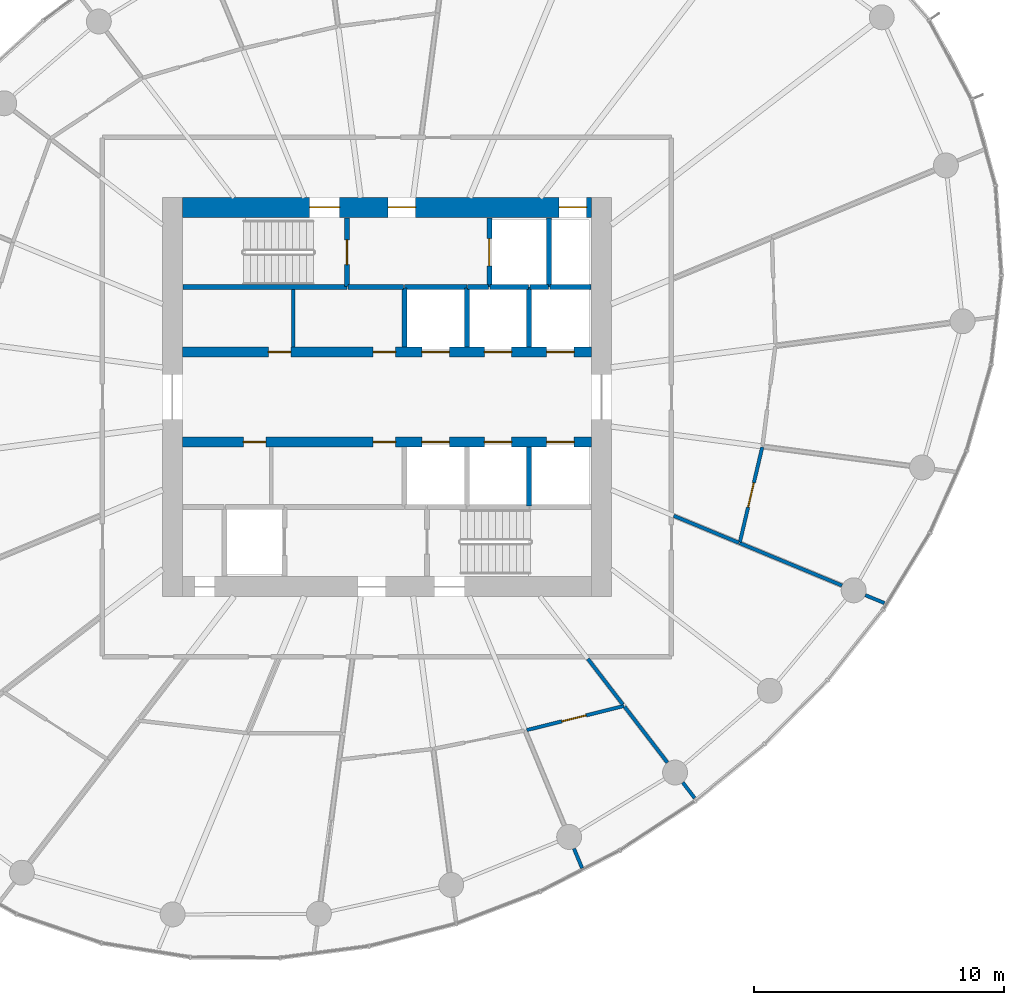
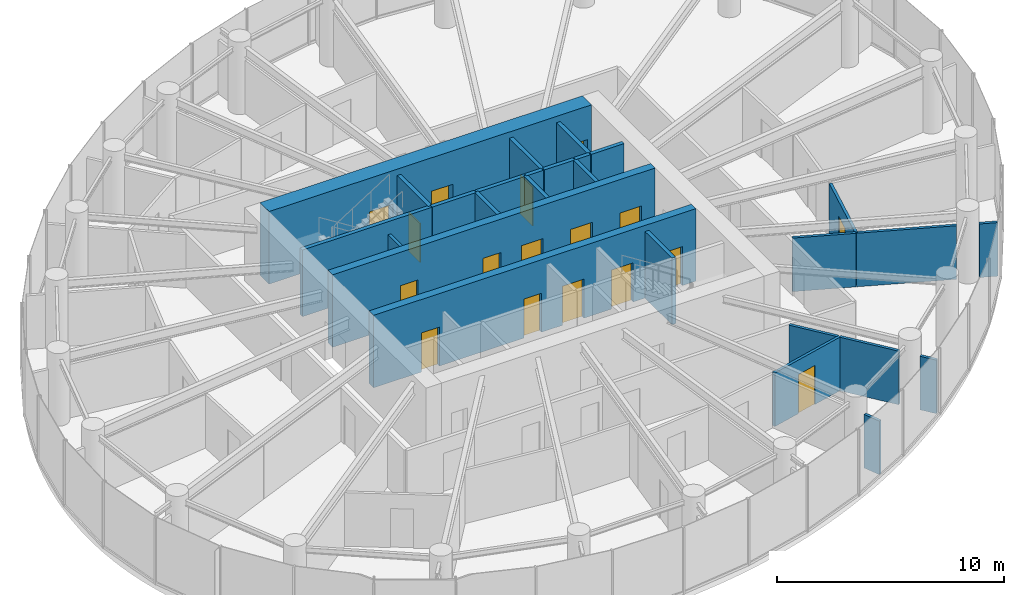
# One storey, part 10 of 14: 27 walls, 17 doors, 17 openings.
"""IFC4 building model written with IfcOpenShell, lengths in metres."""

from ifc_helpers import new_model, si_unit, direction, frame, frame_2d, origin, place, context, subcontext, project, spatial, rectangle, extrude, source, transform, mapped, material, layer, layer_set, type_object, element, fill, save


model = new_model("IFC4")

# Units and contexts
model_context = context("Model", 3, precision=1e-05, world=origin(), true_north=direction((0.0, 1.0)))
body_context = subcontext(model_context, "Body", "Model", "MODEL_VIEW")
ifc_project = project(units=[si_unit("LENGTHUNIT", "METRE"), si_unit("AREAUNIT", "SQUARE_METRE"), si_unit("VOLUMEUNIT", "CUBIC_METRE"), si_unit("PLANEANGLEUNIT", "RADIAN"), si_unit("MASSUNIT", "GRAM", prefix="KILO")], contexts=[model_context])

# Site, building, storey
site_placement = place(None, origin())
site = spatial("IfcSite", under=ifc_project, at=site_placement, CompositionType="ELEMENT")
building_placement = place(site_placement, origin())
building = spatial("IfcBuilding", under=site, at=building_placement, Name="Spindrift Exchange Tower", CompositionType="ELEMENT")
storey_placement = place(building_placement, frame((0.0, 0.0, 156.5)))
storey = spatial("IfcBuildingStorey", under=building, at=storey_placement, Name="L37", CompositionType="ELEMENT", Elevation=156.5)

# Wall, openings, doors
ifc_material_1 = material(Name="Concrete 65 MPa", Category="concrete")
ifc_layer_1 = layer(ifc_material_1, 0.800048828125)
ifc_layer_set_1 = layer_set([ifc_layer_1], Name="RC Core Wall 800 Concrete 65 MPa")
wall_type_1 = type_object("IfcWallType", Name="RC Core Wall 800 Concrete 65 MPa", PredefinedType="SHEAR", material=ifc_layer_set_1)
wall_1_placement = place(storey_placement, frame((60.199951171875, 55.60009765625, 0.0), z_axis=(0.0, 0.0, 1.0), x_axis=(-1.0, 0.0, 0.0)))
wall_1 = element("IfcWall", 1, at=wall_1_placement, inside=storey, type_object=wall_type_1, Name="Core wall N L37", PredefinedType="SHEAR", context=body_context, shape_type="SweptSolid", body=[
    extrude(rectangle(XDim=16.39990234375, YDim=0.800048828125, at=frame_2d((8.199951171875, 0.0))), origin(), (0.0, 0.0, 1.0), 3.89990234375),
])
opening_1_placement = place(wall_1_placement, frame((0.199951171875, 0.0, 0.0)))
opening_1 = element("IfcOpeningElement", 2, at=opening_1_placement, cuts=wall_1, Name="Opening L37-D11", PredefinedType="OPENING", context=body_context, shape_type="SweptSolid", body=[
    extrude(rectangle(XDim=1.10009765625, YDim=2.10009765625, at=frame_2d((0.550048828125, 1.050048828125))), frame((0.0, 0.409912109375, 0.0), z_axis=(0.0, -1.0, 0.0), x_axis=(1.0, 0.0, 0.0)), (0.0, 0.0, 1.0), 0.820068359375),
])
opening_2_placement = place(wall_1_placement, frame((10.10009765625, 0.0, 0.0)))
opening_2 = element("IfcOpeningElement", 3, at=opening_2_placement, cuts=wall_1, Name="Opening L37-D12", PredefinedType="OPENING", context=body_context, shape_type="SweptSolid", body=[
    extrude(rectangle(XDim=1.199951171875, YDim=2.10009765625, at=frame_2d((0.60009765625, 1.050048828125))), frame((0.0, 0.409912109375, 0.0), z_axis=(0.0, -1.0, 0.0), x_axis=(1.0, 0.0, 0.0)), (0.0, 0.0, 1.0), 0.820068359375),
])
opening_3_placement = place(wall_1_placement, frame((7.050048828125, 0.0, 0.0)))
opening_3 = element("IfcOpeningElement", 4, at=opening_3_placement, cuts=wall_1, Name="Opening L37-D14", PredefinedType="OPENING", context=body_context, shape_type="SweptSolid", body=[
    extrude(rectangle(XDim=1.10009765625, YDim=2.10009765625, at=frame_2d((0.550048828125, 1.050048828125))), frame((0.0, 0.409912109375, 0.0), z_axis=(0.0, -1.0, 0.0), x_axis=(1.0, 0.0, 0.0)), (0.0, 0.0, 1.0), 0.820068359375),
])
ifc_material_2 = material(Name="Stainless steel landing door", Category="steel")
door_type_1 = type_object("IfcDoorType", Name="DR-LANDING-1100-SL", OperationType="DOUBLE_DOOR_SLIDING", PredefinedType="USERDEFINED", material=ifc_material_2)
shared_shape_1 = source(origin(), body_context, "Body", "SweptSolid", [
    extrude(rectangle(XDim=1.10009765625, YDim=2.10009765625, at=frame_2d((0.550048828125, 1.050048828125))), frame((0.0, 0.02490234375, 0.0), z_axis=(0.0, -1.0, 0.0), x_axis=(1.0, 0.0, 0.0)), (0.0, 0.0, 1.0), 0.050048828125),
])
door_1_placement = place(opening_1_placement, origin())
door_1 = element("IfcDoor", 5, at=door_1_placement, inside=storey, type_object=door_type_1, Name="L37 Lift landing door 11", ObjectType="LANDING DOOR", OperationType="DOUBLE_DOOR_SLIDING", OverallHeight=2.10009765625, OverallWidth=1.10009765625, PredefinedType="USERDEFINED", context=body_context, shape_type="MappedRepresentation", body=[
    mapped(shared_shape_1, transform((0.0, 0.0, 0.0), scale=1.0)),
])
fill(opening_1, door_1)
ifc_material_3 = material(Name="Steel fire door", Category="steel")
door_type_2 = type_object("IfcDoorType", Name="DR-STAIR-1200", OperationType="NOTDEFINED", PredefinedType="DOOR", material=ifc_material_3)
shared_shape_2 = source(origin(), body_context, "Body", "SweptSolid", [
    extrude(rectangle(XDim=1.199951171875, YDim=2.10009765625, at=frame_2d((0.60009765625, 1.050048828125))), frame((0.0, 0.02490234375, 0.0), z_axis=(0.0, -1.0, 0.0), x_axis=(1.0, 0.0, 0.0)), (0.0, 0.0, 1.0), 0.050048828125),
])
door_2_placement = place(opening_2_placement, origin())
door_2 = element("IfcDoor", 6, at=door_2_placement, inside=storey, type_object=door_type_2, Name="L37 Stair door 12", OperationType="SINGLE_SWING_LEFT", OverallHeight=2.10009765625, OverallWidth=1.199951171875, PredefinedType="DOOR", context=body_context, shape_type="MappedRepresentation", body=[
    mapped(shared_shape_2, transform((0.0, 0.0, 0.0), scale=1.0)),
])
fill(opening_2, door_2)
ifc_material_4 = material(Name="Timber-core fire door", Category="wood")
door_type_3 = type_object("IfcDoorType", Name="DR-LOBBY-1100", OperationType="NOTDEFINED", PredefinedType="DOOR", material=ifc_material_4)
shared_shape_3 = source(origin(), body_context, "Body", "SweptSolid", [
    extrude(rectangle(XDim=1.10009765625, YDim=2.10009765625, at=frame_2d((0.550048828125, 1.050048828125))), frame((0.0, 0.02490234375, 0.0), z_axis=(0.0, -1.0, 0.0), x_axis=(1.0, 0.0, 0.0)), (0.0, 0.0, 1.0), 0.050048828125),
])
door_3_placement = place(opening_3_placement, origin())
door_3 = element("IfcDoor", 7, at=door_3_placement, inside=storey, type_object=door_type_3, Name="L37 Lobby door 14", OperationType="SINGLE_SWING_LEFT", OverallHeight=2.10009765625, OverallWidth=1.10009765625, PredefinedType="DOOR", context=body_context, shape_type="MappedRepresentation", body=[
    mapped(shared_shape_3, transform((0.0, 0.0, 0.0), scale=1.0)),
])
fill(opening_3, door_3)

ifc_layer_2 = layer(ifc_material_1, 0.39990234375)
ifc_layer_set_2 = layer_set([ifc_layer_2], Name="RC Spine Wall 400 Concrete 65 MPa")
wall_type_2 = type_object("IfcWallType", Name="RC Spine Wall 400 Concrete 65 MPa", PredefinedType="SHEAR", material=ifc_layer_set_2)
wall_2_placement = place(storey_placement, frame((43.800048828125, 49.800048828125, 0.0), z_axis=(0.0, 0.0, 1.0), x_axis=(1.0, 0.0, 0.0)))
wall_2 = element("IfcWall", 8, at=wall_2_placement, inside=storey, type_object=wall_type_2, Name="Core spine wall N L37", PredefinedType="SHEAR", context=body_context, shape_type="SweptSolid", body=[
    extrude(rectangle(XDim=16.39990234375, YDim=0.39990234375, at=frame_2d((8.199951171875, 0.0))), origin(), (0.0, 0.0, 1.0), 3.89990234375),
])
opening_4_placement = place(wall_2_placement, frame((9.60009765625, 0.0, 0.0)))
opening_4 = element("IfcOpeningElement", 9, at=opening_4_placement, cuts=wall_2, Name="Opening L37-D3", PredefinedType="OPENING", context=body_context, shape_type="SweptSolid", body=[
    extrude(rectangle(XDim=1.10009765625, YDim=2.10009765625, at=frame_2d((0.550048828125, 1.050048828125))), frame((0.0, 0.2099609375, 0.0), z_axis=(0.0, -1.0, 0.0), x_axis=(1.0, 0.0, 0.0)), (0.0, 0.0, 1.0), 0.419921875),
])
opening_5_placement = place(wall_2_placement, frame((12.10009765625, 0.0, 0.0)))
opening_5 = element("IfcOpeningElement", 10, at=opening_5_placement, cuts=wall_2, Name="Opening L37-D4", PredefinedType="OPENING", context=body_context, shape_type="SweptSolid", body=[
    extrude(rectangle(XDim=1.10009765625, YDim=2.10009765625, at=frame_2d((0.550048828125, 1.050048828125))), frame((0.0, 0.2099609375, 0.0), z_axis=(0.0, -1.0, 0.0), x_axis=(1.0, 0.0, 0.0)), (0.0, 0.0, 1.0), 0.419921875),
])
opening_6_placement = place(wall_2_placement, frame((14.60009765625, 0.0, 0.0)))
opening_6 = element("IfcOpeningElement", 11, at=opening_6_placement, cuts=wall_2, Name="Opening L37-D5", PredefinedType="OPENING", context=body_context, shape_type="SweptSolid", body=[
    extrude(rectangle(XDim=1.10009765625, YDim=2.10009765625, at=frame_2d((0.550048828125, 1.050048828125))), frame((0.0, 0.2099609375, 0.0), z_axis=(0.0, -1.0, 0.0), x_axis=(1.0, 0.0, 0.0)), (0.0, 0.0, 1.0), 0.419921875),
])
opening_7_placement = place(wall_2_placement, frame((3.449951171875, 0.0, 0.0)))
opening_7 = element("IfcOpeningElement", 12, at=opening_7_placement, cuts=wall_2, Name="Opening L37-D45", PredefinedType="OPENING", context=body_context, shape_type="SweptSolid", body=[
    extrude(rectangle(XDim=0.89990234375, YDim=2.10009765625, at=frame_2d((0.449951171875, 1.050048828125))), frame((0.0, 0.2099609375, 0.0), z_axis=(0.0, -1.0, 0.0), x_axis=(1.0, 0.0, 0.0)), (0.0, 0.0, 1.0), 0.419921875),
])
opening_8_placement = place(wall_2_placement, frame((7.64990234375, 0.0, 0.0)))
opening_8 = element("IfcOpeningElement", 13, at=opening_8_placement, cuts=wall_2, Name="Opening L37-D46", PredefinedType="OPENING", context=body_context, shape_type="SweptSolid", body=[
    extrude(rectangle(XDim=0.89990234375, YDim=2.10009765625, at=frame_2d((0.449951171875, 1.050048828125))), frame((0.0, 0.2099609375, 0.0), z_axis=(0.0, -1.0, 0.0), x_axis=(1.0, 0.0, 0.0)), (0.0, 0.0, 1.0), 0.419921875),
])
door_4_placement = place(opening_4_placement, origin())
door_4 = element("IfcDoor", 14, at=door_4_placement, inside=storey, type_object=door_type_1, Name="L37 Lift landing door 3", ObjectType="LANDING DOOR", OperationType="DOUBLE_DOOR_SLIDING", OverallHeight=2.10009765625, OverallWidth=1.10009765625, PredefinedType="USERDEFINED", context=body_context, shape_type="MappedRepresentation", body=[
    mapped(shared_shape_1, transform((0.0, 0.0, 0.0), scale=1.0)),
])
fill(opening_4, door_4)
door_5_placement = place(opening_5_placement, origin())
door_5 = element("IfcDoor", 15, at=door_5_placement, inside=storey, type_object=door_type_1, Name="L37 Lift landing door 4", ObjectType="LANDING DOOR", OperationType="DOUBLE_DOOR_SLIDING", OverallHeight=2.10009765625, OverallWidth=1.10009765625, PredefinedType="USERDEFINED", context=body_context, shape_type="MappedRepresentation", body=[
    mapped(shared_shape_1, transform((0.0, 0.0, 0.0), scale=1.0)),
])
fill(opening_5, door_5)
door_6_placement = place(opening_6_placement, origin())
door_6 = element("IfcDoor", 16, at=door_6_placement, inside=storey, type_object=door_type_1, Name="L37 Lift landing door 5", ObjectType="LANDING DOOR", OperationType="DOUBLE_DOOR_SLIDING", OverallHeight=2.10009765625, OverallWidth=1.10009765625, PredefinedType="USERDEFINED", context=body_context, shape_type="MappedRepresentation", body=[
    mapped(shared_shape_1, transform((0.0, 0.0, 0.0), scale=1.0)),
])
fill(opening_6, door_6)
ifc_material_5 = material(Name="Steel access door", Category="steel")
door_type_4 = type_object("IfcDoorType", Name="DR-RISER-900", OperationType="NOTDEFINED", PredefinedType="DOOR", material=ifc_material_5)
shared_shape_4 = source(origin(), body_context, "Body", "SweptSolid", [
    extrude(rectangle(XDim=0.89990234375, YDim=2.10009765625, at=frame_2d((0.449951171875, 1.050048828125))), frame((0.0, 0.02490234375, 0.0), z_axis=(0.0, -1.0, 0.0), x_axis=(1.0, 0.0, 0.0)), (0.0, 0.0, 1.0), 0.050048828125),
])
door_7_placement = place(opening_7_placement, origin())
door_7 = element("IfcDoor", 17, at=door_7_placement, inside=storey, type_object=door_type_4, Name="L37 Riser door 45", OperationType="SINGLE_SWING_RIGHT", OverallHeight=2.10009765625, OverallWidth=0.89990234375, PredefinedType="DOOR", context=body_context, shape_type="MappedRepresentation", body=[
    mapped(shared_shape_4, transform((0.0, 0.0, 0.0), scale=1.0)),
])
fill(opening_7, door_7)
door_8_placement = place(opening_8_placement, origin())
door_8 = element("IfcDoor", 18, at=door_8_placement, inside=storey, type_object=door_type_4, Name="L37 Riser door 46", OperationType="SINGLE_SWING_LEFT", OverallHeight=2.10009765625, OverallWidth=0.89990234375, PredefinedType="DOOR", context=body_context, shape_type="MappedRepresentation", body=[
    mapped(shared_shape_4, transform((0.0, 0.0, 0.0), scale=1.0)),
])
fill(opening_8, door_8)

wall_3_placement = place(storey_placement, frame((43.800048828125, 46.199951171875, 0.0), z_axis=(0.0, 0.0, 1.0), x_axis=(1.0, 0.0, 0.0)))
wall_3 = element("IfcWall", 19, at=wall_3_placement, inside=storey, type_object=wall_type_2, Name="Core spine wall S L37", PredefinedType="SHEAR", context=body_context, shape_type="SweptSolid", body=[
    extrude(rectangle(XDim=16.39990234375, YDim=0.39990234375, at=frame_2d((8.199951171875, 0.0))), origin(), (0.0, 0.0, 1.0), 3.89990234375),
])
opening_9_placement = place(wall_3_placement, frame((9.60009765625, 0.0, 0.0)))
opening_9 = element("IfcOpeningElement", 20, at=opening_9_placement, cuts=wall_3, Name="Opening L37-D6", PredefinedType="OPENING", context=body_context, shape_type="SweptSolid", body=[
    extrude(rectangle(XDim=1.10009765625, YDim=2.10009765625, at=frame_2d((0.550048828125, 1.050048828125))), frame((0.0, 0.2099609375, 0.0), z_axis=(0.0, -1.0, 0.0), x_axis=(1.0, 0.0, 0.0)), (0.0, 0.0, 1.0), 0.419921875),
])
opening_10_placement = place(wall_3_placement, frame((12.10009765625, 0.0, 0.0)))
opening_10 = element("IfcOpeningElement", 21, at=opening_10_placement, cuts=wall_3, Name="Opening L37-D7", PredefinedType="OPENING", context=body_context, shape_type="SweptSolid", body=[
    extrude(rectangle(XDim=1.10009765625, YDim=2.10009765625, at=frame_2d((0.550048828125, 1.050048828125))), frame((0.0, 0.2099609375, 0.0), z_axis=(0.0, -1.0, 0.0), x_axis=(1.0, 0.0, 0.0)), (0.0, 0.0, 1.0), 0.419921875),
])
opening_11_placement = place(wall_3_placement, frame((14.60009765625, 0.0, 0.0)))
opening_11 = element("IfcOpeningElement", 22, at=opening_11_placement, cuts=wall_3, Name="Opening L37-D8", PredefinedType="OPENING", context=body_context, shape_type="SweptSolid", body=[
    extrude(rectangle(XDim=1.10009765625, YDim=2.10009765625, at=frame_2d((0.550048828125, 1.050048828125))), frame((0.0, 0.2099609375, 0.0), z_axis=(0.0, -1.0, 0.0), x_axis=(1.0, 0.0, 0.0)), (0.0, 0.0, 1.0), 0.419921875),
])
opening_12_placement = place(wall_3_placement, frame((2.449951171875, 0.0, 0.0)))
opening_12 = element("IfcOpeningElement", 23, at=opening_12_placement, cuts=wall_3, Name="Opening L37-D47", PredefinedType="OPENING", context=body_context, shape_type="SweptSolid", body=[
    extrude(rectangle(XDim=0.89990234375, YDim=2.10009765625, at=frame_2d((0.449951171875, 1.050048828125))), frame((0.0, 0.2099609375, 0.0), z_axis=(0.0, -1.0, 0.0), x_axis=(1.0, 0.0, 0.0)), (0.0, 0.0, 1.0), 0.419921875),
])
opening_13_placement = place(wall_3_placement, frame((7.64990234375, 0.0, 0.0)))
opening_13 = element("IfcOpeningElement", 24, at=opening_13_placement, cuts=wall_3, Name="Opening L37-D48", PredefinedType="OPENING", context=body_context, shape_type="SweptSolid", body=[
    extrude(rectangle(XDim=0.89990234375, YDim=2.10009765625, at=frame_2d((0.449951171875, 1.050048828125))), frame((0.0, 0.2099609375, 0.0), z_axis=(0.0, -1.0, 0.0), x_axis=(1.0, 0.0, 0.0)), (0.0, 0.0, 1.0), 0.419921875),
])
door_9_placement = place(opening_9_placement, origin())
door_9 = element("IfcDoor", 25, at=door_9_placement, inside=storey, type_object=door_type_1, Name="L37 Lift landing door 6", ObjectType="LANDING DOOR", OperationType="DOUBLE_DOOR_SLIDING", OverallHeight=2.10009765625, OverallWidth=1.10009765625, PredefinedType="USERDEFINED", context=body_context, shape_type="MappedRepresentation", body=[
    mapped(shared_shape_1, transform((0.0, 0.0, 0.0), scale=1.0)),
])
fill(opening_9, door_9)
door_10_placement = place(opening_10_placement, origin())
door_10 = element("IfcDoor", 26, at=door_10_placement, inside=storey, type_object=door_type_1, Name="L37 Lift landing door 7", ObjectType="LANDING DOOR", OperationType="DOUBLE_DOOR_SLIDING", OverallHeight=2.10009765625, OverallWidth=1.10009765625, PredefinedType="USERDEFINED", context=body_context, shape_type="MappedRepresentation", body=[
    mapped(shared_shape_1, transform((0.0, 0.0, 0.0), scale=1.0)),
])
fill(opening_10, door_10)
door_11_placement = place(opening_11_placement, origin())
door_11 = element("IfcDoor", 27, at=door_11_placement, inside=storey, type_object=door_type_1, Name="L37 Lift landing door 8", ObjectType="LANDING DOOR", OperationType="DOUBLE_DOOR_SLIDING", OverallHeight=2.10009765625, OverallWidth=1.10009765625, PredefinedType="USERDEFINED", context=body_context, shape_type="MappedRepresentation", body=[
    mapped(shared_shape_1, transform((0.0, 0.0, 0.0), scale=1.0)),
])
fill(opening_11, door_11)
door_12_placement = place(opening_12_placement, origin())
door_12 = element("IfcDoor", 28, at=door_12_placement, inside=storey, type_object=door_type_4, Name="L37 Riser door 47", OperationType="SINGLE_SWING_RIGHT", OverallHeight=2.10009765625, OverallWidth=0.89990234375, PredefinedType="DOOR", context=body_context, shape_type="MappedRepresentation", body=[
    mapped(shared_shape_4, transform((0.0, 0.0, 0.0), scale=1.0)),
])
fill(opening_12, door_12)
door_13_placement = place(opening_13_placement, origin())
door_13 = element("IfcDoor", 29, at=door_13_placement, inside=storey, type_object=door_type_4, Name="L37 Riser door 48", OperationType="SINGLE_SWING_LEFT", OverallHeight=2.10009765625, OverallWidth=0.89990234375, PredefinedType="DOOR", context=body_context, shape_type="MappedRepresentation", body=[
    mapped(shared_shape_4, transform((0.0, 0.0, 0.0), scale=1.0)),
])
fill(opening_13, door_13)

# Wall
ifc_material_6 = material(Name="Fire-rated plasterboard partition", Category="gypsum")
ifc_layer_3 = layer(ifc_material_6, 0.139892578125)
ifc_layer_set_3 = layer_set([ifc_layer_3], Name="W-PART-140")
wall_type_3 = type_object("IfcWallType", Name="W-PART-140", PredefinedType="PARTITIONING", material=ifc_layer_set_3)
wall_4_placement = place(storey_placement, frame((66.130615234375, 42.14697265625, 0.0), z_axis=(0.0, 0.0, 1.0), x_axis=(0.923872072557, -0.382701441792, 0.0)))
element("IfcWall", 30, at=wall_4_placement, inside=storey, type_object=wall_type_3, Name="L37 Partition wall 47", PredefinedType="PARTITIONING", context=body_context, shape_type="SweptSolid", body=[
    extrude(rectangle(XDim=4.440185546875, YDim=0.139892578125, at=frame_2d((2.22021484375, 0.0))), origin(), (0.0, 0.0, 1.0), 2.8798828125),
])

# Wall, opening, door
wall_5_placement = place(storey_placement, frame((61.498779296875, 35.620849609375, 0.0), z_axis=(0.0, 0.0, 1.0), x_axis=(-0.970705214058, -0.240273567836, 0.0)))
wall_5 = element("IfcWall", 31, at=wall_5_placement, inside=storey, type_object=wall_type_3, Name="L37 Partition wall 58", PredefinedType="PARTITIONING", context=body_context, shape_type="SweptSolid", body=[
    extrude(rectangle(XDim=4.013671875, YDim=0.139892578125, at=frame_2d((2.0068359375, 0.0))), origin(), (0.0, 0.0, 1.0), 2.8798828125),
])
opening_14_placement = place(wall_5_placement, frame((1.5634765625, 0.0, 0.0)))
opening_14 = element("IfcOpeningElement", 32, at=opening_14_placement, cuts=wall_5, Name="Opening L37-D24", PredefinedType="OPENING", context=body_context, shape_type="SweptSolid", body=[
    extrude(rectangle(XDim=1.0, YDim=2.10009765625, at=frame_2d((0.5, 1.050048828125))), frame((0.0, 0.079833984375, 0.0), z_axis=(0.0, -1.0, 0.0), x_axis=(1.0, 0.0, 0.0)), (0.0, 0.0, 1.0), 0.159912109375),
])
door_type_5 = type_object("IfcDoorType", Name="DR-ROOM-1000", OperationType="NOTDEFINED", PredefinedType="DOOR", material=ifc_material_4)
shared_shape_5 = source(origin(), body_context, "Body", "SweptSolid", [
    extrude(rectangle(XDim=1.0, YDim=2.10009765625, at=frame_2d((0.5, 1.050048828125))), frame((0.0, 0.02490234375, 0.0), z_axis=(0.0, -1.0, 0.0), x_axis=(1.0, 0.0, 0.0)), (0.0, 0.0, 1.0), 0.050048828125),
])
door_14_placement = place(opening_14_placement, origin())
door_14 = element("IfcDoor", 33, at=door_14_placement, inside=storey, type_object=door_type_5, Name="L37 Door 24", OperationType="SINGLE_SWING_LEFT", OverallHeight=2.10009765625, OverallWidth=1.0, PredefinedType="DOOR", context=body_context, shape_type="MappedRepresentation", body=[
    mapped(shared_shape_5, transform((0.0, 0.0, 0.0), scale=1.0)),
])
fill(opening_14, door_14)

wall_6_placement = place(storey_placement, frame((67.036865234375, 45.990234375, 0.0), z_axis=(0.0, 0.0, 1.0), x_axis=(-0.229452538662, -0.973319851077, 0.0)))
wall_6 = element("IfcWall", 34, at=wall_6_placement, inside=storey, type_object=wall_type_3, Name="L37 Partition wall 61", PredefinedType="PARTITIONING", context=body_context, shape_type="SweptSolid", body=[
    extrude(rectangle(XDim=3.918701171875, YDim=0.139892578125, at=frame_2d((1.95947265625, 0.0))), origin(), (0.0, 0.0, 1.0), 2.8798828125),
])
opening_15_placement = place(wall_6_placement, frame((1.46875, 0.0, 0.0)))
opening_15 = element("IfcOpeningElement", 35, at=opening_15_placement, cuts=wall_6, Name="Opening L37-D28", PredefinedType="OPENING", context=body_context, shape_type="SweptSolid", body=[
    extrude(rectangle(XDim=1.0, YDim=2.10009765625, at=frame_2d((0.5, 1.050048828125))), frame((0.0, 0.079833984375, 0.0), z_axis=(0.0, -1.0, 0.0), x_axis=(1.0, 0.0, 0.0)), (0.0, 0.0, 1.0), 0.159912109375),
])
door_15_placement = place(opening_15_placement, origin())
door_15 = element("IfcDoor", 36, at=door_15_placement, inside=storey, type_object=door_type_5, Name="L37 Door 28", OperationType="SINGLE_SWING_LEFT", OverallHeight=2.10009765625, OverallWidth=1.0, PredefinedType="DOOR", context=body_context, shape_type="MappedRepresentation", body=[
    mapped(shared_shape_5, transform((0.0, 0.0, 0.0), scale=1.0)),
])
fill(opening_15, door_15)

# Walls
wall_7_placement = place(storey_placement, frame((63.489990234375, 43.24072265625, 0.0), z_axis=(0.0, 0.0, 1.0), x_axis=(0.923859015747, -0.382732960462, 0.0)))
element("IfcWall", 37, at=wall_7_placement, inside=storey, type_object=wall_type_3, Name="L37 Partition wall 70", PredefinedType="PARTITIONING", context=body_context, shape_type="SweptSolid", body=[
    extrude(rectangle(XDim=2.828369140625, YDim=0.139892578125, at=frame_2d((1.4140625, 0.0))), origin(), (0.0, 0.0, 1.0), 2.8798828125),
])
wall_8_placement = place(storey_placement, frame((61.51708984375, 35.59716796875, 0.0), z_axis=(0.0, 0.0, 1.0), x_axis=(0.608716333524, -0.793387941238, 0.0)))
element("IfcWall", 38, at=wall_8_placement, inside=storey, type_object=wall_type_3, Name="L37 Partition wall 71", PredefinedType="PARTITIONING", context=body_context, shape_type="SweptSolid", body=[
    extrude(rectangle(XDim=2.8251953125, YDim=0.139892578125, at=frame_2d((1.41259765625, 0.0))), origin(), (0.0, 0.0, 1.0), 2.8798828125),
])
wall_9_placement = place(storey_placement, frame((60.04931640625, 37.510009765625, 0.0), z_axis=(0.0, 0.0, 1.0), x_axis=(0.608742818772, -0.793367620081, 0.0)))
element("IfcWall", 39, at=wall_9_placement, inside=storey, type_object=wall_type_3, Name="L37 Partition wall 73", PredefinedType="PARTITIONING", context=body_context, shape_type="SweptSolid", body=[
    extrude(rectangle(XDim=2.304931640625, YDim=0.139892578125, at=frame_2d((1.15234375, 0.0))), origin(), (0.0, 0.0, 1.0), 2.8798828125),
])
wall_10_placement = place(storey_placement, frame((48.25, 50.010009765625, 0.0), z_axis=(0.0, 0.0, 1.0), x_axis=(0.0, 1.0, 0.0)))
element("IfcWall", 40, at=wall_10_placement, inside=storey, type_object=wall_type_3, Name="L37 Partition wall 75", PredefinedType="PARTITIONING", context=body_context, shape_type="SweptSolid", body=[
    extrude(rectangle(XDim=2.2900390625, YDim=0.139892578125, at=frame_2d((1.14501953125, 0.0))), origin(), (0.0, 0.0, 1.0), 2.8798828125),
])
wall_11_placement = place(storey_placement, frame((59.494140625, 29.90771484375, 0.0), z_axis=(0.0, 0.0, 1.0), x_axis=(0.382722863119, -0.923863198772, 0.0)))
element("IfcWall", 41, at=wall_11_placement, inside=storey, type_object=wall_type_3, Name="L37 Partition wall 90", PredefinedType="PARTITIONING", context=body_context, shape_type="SweptSolid", body=[
    extrude(rectangle(XDim=0.852294921875, YDim=0.139892578125, at=frame_2d((0.42626953125, 0.0))), origin(), (0.0, 0.0, 1.0), 2.8798828125),
])
wall_12_placement = place(storey_placement, frame((71.166015625, 40.061279296875, 0.0), z_axis=(0.0, 0.0, 1.0), x_axis=(0.923909393783, -0.382611332921, 0.0)))
element("IfcWall", 42, at=wall_12_placement, inside=storey, type_object=wall_type_3, Name="L37 Partition wall 95", PredefinedType="PARTITIONING", context=body_context, shape_type="SweptSolid", body=[
    extrude(rectangle(XDim=0.830810546875, YDim=0.139892578125, at=frame_2d((0.41552734375, 0.0))), origin(), (0.0, 0.0, 1.0), 2.8798828125),
])
wall_13_placement = place(storey_placement, frame((63.85107421875, 32.555419921875, 0.0), z_axis=(0.0, 0.0, 1.0), x_axis=(0.608659697441, -0.793431391307, 0.0)))
element("IfcWall", 43, at=wall_13_placement, inside=storey, type_object=wall_type_3, Name="L37 Partition wall 97", PredefinedType="PARTITIONING", context=body_context, shape_type="SweptSolid", body=[
    extrude(rectangle(XDim=0.7861328125, YDim=0.139892578125, at=frame_2d((0.39306640625, 0.0))), origin(), (0.0, 0.0, 1.0), 2.8798828125),
])

# Wall, opening, door
ifc_material_7 = material(Name="Concrete 40 MPa", Category="concrete")
ifc_layer_4 = layer(ifc_material_7, 0.199951171875)
ifc_layer_set_4 = layer_set([ifc_layer_4], Name="W-SHAFT-200")
wall_type_4 = type_object("IfcWallType", Name="W-SHAFT-200", PredefinedType="SOLIDWALL", material=ifc_layer_set_4)
wall_14_placement = place(storey_placement, frame((56.10009765625, 55.179931640625, 0.0), z_axis=(0.0, 0.0, 1.0), x_axis=(0.0, -1.0, 0.0)))
wall_14 = element("IfcWall", 44, at=wall_14_placement, inside=storey, type_object=wall_type_4, Name="L37 Shaft wall 7", PredefinedType="SOLIDWALL", context=body_context, shape_type="SweptSolid", body=[
    extrude(rectangle(XDim=2.780029296875, YDim=0.199951171875, at=frame_2d((1.39013671875, 0.0))), origin(), (0.0, 0.0, 1.0), 3.580078125),
])
opening_16_placement = place(wall_14_placement, frame((0.830078125, 0.0, 0.0)))
opening_16 = element("IfcOpeningElement", 45, at=opening_16_placement, cuts=wall_14, Name="Opening L37-D9", PredefinedType="OPENING", context=body_context, shape_type="SweptSolid", body=[
    extrude(rectangle(XDim=1.10009765625, YDim=2.10009765625, at=frame_2d((0.550048828125, 1.050048828125))), frame((0.0, 0.10986328125, 0.0), z_axis=(0.0, -1.0, 0.0), x_axis=(1.0, 0.0, 0.0)), (0.0, 0.0, 1.0), 0.219970703125),
])
door_16_placement = place(opening_16_placement, origin())
door_16 = element("IfcDoor", 46, at=door_16_placement, inside=storey, type_object=door_type_1, Name="L37 Lift landing door 9", ObjectType="LANDING DOOR", OperationType="DOUBLE_DOOR_SLIDING", OverallHeight=2.10009765625, OverallWidth=1.10009765625, PredefinedType="USERDEFINED", context=body_context, shape_type="MappedRepresentation", body=[
    mapped(shared_shape_1, transform((0.0, 0.0, 0.0), scale=1.0)),
])
fill(opening_16, door_16)

# Walls
wall_15_placement = place(storey_placement, frame((58.5, 52.39990234375, 0.0), z_axis=(0.0, 0.0, 1.0), x_axis=(0.0, 1.0, 0.0)))
element("IfcWall", 47, at=wall_15_placement, inside=storey, type_object=wall_type_4, Name="L37 Shaft wall 8", PredefinedType="SOLIDWALL", context=body_context, shape_type="SweptSolid", body=[
    extrude(rectangle(XDim=2.780029296875, YDim=0.199951171875, at=frame_2d((1.39013671875, 0.0))), origin(), (0.0, 0.0, 1.0), 3.580078125),
])
wall_16_placement = place(storey_placement, frame((55.199951171875, 52.39990234375, 0.0), z_axis=(0.0, 0.0, 1.0), x_axis=(-1.0, 0.0, 0.0)))
element("IfcWall", 48, at=wall_16_placement, inside=storey, type_object=wall_type_4, Name="L37 Shaft wall 9", PredefinedType="SOLIDWALL", context=body_context, shape_type="SweptSolid", body=[
    extrude(rectangle(XDim=2.5, YDim=0.199951171875, at=frame_2d((1.25, 0.0))), origin(), (0.0, 0.0, 1.0), 3.580078125),
])
for number, where, z_axis, x_axis, name in (
    (49, (52.699951171875, 52.3701171875, 0.0), (0.0, 0.0, 1.0), (0.0, -1.0, 0.0), "L37 Shaft wall 14"),
    (50, (55.199951171875, 50.010009765625, 0.0), (0.0, 0.0, 1.0), (0.0, 1.0, 0.0), "L37 Shaft wall 16"),
):
    element("IfcWall", number, at=place(storey_placement, frame(where, z_axis=z_axis, x_axis=x_axis)), inside=storey, type_object=wall_type_4, Name=name, PredefinedType="SOLIDWALL", context=body_context, shape_type="SweptSolid", body=[
        extrude(rectangle(XDim=2.360107421875, YDim=0.199951171875, at=frame_2d((1.18017578125, 0.0))), origin(), (0.0, 0.0, 1.0), 3.580078125),
    ])
wall_17_placement = place(storey_placement, frame((57.699951171875, 50.010009765625, 0.0), z_axis=(0.0, 0.0, 1.0), x_axis=(0.0, 1.0, 0.0)))
element("IfcWall", 51, at=wall_17_placement, inside=storey, type_object=wall_type_4, Name="L37 Shaft wall 18", PredefinedType="SOLIDWALL", context=body_context, shape_type="SweptSolid", body=[
    extrude(rectangle(XDim=2.389892578125, YDim=0.199951171875, at=frame_2d((1.19482421875, 0.0))), origin(), (0.0, 0.0, 1.0), 3.580078125),
])
wall_18_placement = place(storey_placement, frame((60.179931640625, 52.39990234375, 0.0), z_axis=(0.0, 0.0, 1.0), x_axis=(-1.0, 0.0, 0.0)))
element("IfcWall", 52, at=wall_18_placement, inside=storey, type_object=wall_type_4, Name="L37 Shaft wall 21", PredefinedType="SOLIDWALL", context=body_context, shape_type="SweptSolid", body=[
    extrude(rectangle(XDim=1.64990234375, YDim=0.199951171875, at=frame_2d((0.824951171875, 0.0))), origin(), (0.0, 0.0, 1.0), 3.580078125),
])
wall_19_placement = place(storey_placement, frame((57.669921875, 52.39990234375, 0.0), z_axis=(0.0, 0.0, 1.0), x_axis=(-1.0, 0.0, 0.0)))
element("IfcWall", 53, at=wall_19_placement, inside=storey, type_object=wall_type_4, Name="L37 Shaft wall 23", PredefinedType="SOLIDWALL", context=body_context, shape_type="SweptSolid", body=[
    extrude(rectangle(XDim=1.5400390625, YDim=0.199951171875, at=frame_2d((0.77001953125, 0.0))), origin(), (0.0, 0.0, 1.0), 3.580078125),
])
wall_20_placement = place(storey_placement, frame((56.070068359375, 52.39990234375, 0.0), z_axis=(0.0, 0.0, 1.0), x_axis=(-1.0, 0.0, 0.0)))
element("IfcWall", 54, at=wall_20_placement, inside=storey, type_object=wall_type_4, Name="L37 Shaft wall 25", PredefinedType="SOLIDWALL", context=body_context, shape_type="SweptSolid", body=[
    extrude(rectangle(XDim=0.840087890625, YDim=0.199951171875, at=frame_2d((0.419921875, 0.0))), origin(), (0.0, 0.0, 1.0), 3.580078125),
])
wall_21_placement = place(storey_placement, frame((58.469970703125, 52.39990234375, 0.0), z_axis=(0.0, 0.0, 1.0), x_axis=(-1.0, 0.0, 0.0)))
element("IfcWall", 55, at=wall_21_placement, inside=storey, type_object=wall_type_4, Name="L37 Shaft wall 26", PredefinedType="SOLIDWALL", context=body_context, shape_type="SweptSolid", body=[
    extrude(rectangle(XDim=0.739990234375, YDim=0.199951171875, at=frame_2d((0.3701171875, 0.0))), origin(), (0.0, 0.0, 1.0), 3.580078125),
])
ifc_layer_5 = layer(ifc_material_7, 0.199951171875)
ifc_layer_set_5 = layer_set([ifc_layer_5], Name="W-SHAFT-200-LB")
wall_type_5 = type_object("IfcWallType", Name="W-SHAFT-200-LB", PredefinedType="SOLIDWALL", material=ifc_layer_set_5)
wall_22_placement = place(storey_placement, frame((43.820068359375, 52.39990234375, 0.0), z_axis=(0.0, 0.0, 1.0), x_axis=(1.0, 0.0, 0.0)))
element("IfcWall", 56, at=wall_22_placement, inside=storey, type_object=wall_type_5, Name="L37 Shaft wall 1", PredefinedType="SOLIDWALL", context=body_context, shape_type="SweptSolid", body=[
    extrude(rectangle(XDim=6.579833984375, YDim=0.199951171875, at=frame_2d((3.2900390625, 0.0))), origin(), (0.0, 0.0, 1.0), 3.580078125),
])

# Wall, opening, door
wall_23_placement = place(storey_placement, frame((50.39990234375, 52.429931640625, 0.0), z_axis=(0.0, 0.0, 1.0), x_axis=(0.0, 1.0, 0.0)))
wall_23 = element("IfcWall", 57, at=wall_23_placement, inside=storey, type_object=wall_type_5, Name="L37 Shaft wall 5", PredefinedType="SOLIDWALL", context=body_context, shape_type="SweptSolid", body=[
    extrude(rectangle(XDim=2.75, YDim=0.199951171875, at=frame_2d((1.375, 0.0))), origin(), (0.0, 0.0, 1.0), 3.580078125),
])
opening_17_placement = place(wall_23_placement, frame((0.8701171875, 0.0, 0.0)))
opening_17 = element("IfcOpeningElement", 58, at=opening_17_placement, cuts=wall_23, Name="Opening L37-D13", PredefinedType="OPENING", context=body_context, shape_type="SweptSolid", body=[
    extrude(rectangle(XDim=1.0, YDim=2.10009765625, at=frame_2d((0.5, 1.050048828125))), frame((0.0, 0.10986328125, 0.0), z_axis=(0.0, -1.0, 0.0), x_axis=(1.0, 0.0, 0.0)), (0.0, 0.0, 1.0), 0.219970703125),
])
door_type_6 = type_object("IfcDoorType", Name="DR-STAIR-1000", OperationType="NOTDEFINED", PredefinedType="DOOR", material=ifc_material_3)
shared_shape_6 = source(origin(), body_context, "Body", "SweptSolid", [
    extrude(rectangle(XDim=1.0, YDim=2.10009765625, at=frame_2d((0.5, 1.050048828125))), frame((0.0, 0.02490234375, 0.0), z_axis=(0.0, -1.0, 0.0), x_axis=(1.0, 0.0, 0.0)), (0.0, 0.0, 1.0), 0.050048828125),
])
door_17_placement = place(opening_17_placement, origin())
door_17 = element("IfcDoor", 59, at=door_17_placement, inside=storey, type_object=door_type_6, Name="L37 Stair door 13", OperationType="SINGLE_SWING_RIGHT", OverallHeight=2.10009765625, OverallWidth=1.0, PredefinedType="DOOR", context=body_context, shape_type="MappedRepresentation", body=[
    mapped(shared_shape_6, transform((0.0, 0.0, 0.0), scale=1.0)),
])
fill(opening_17, door_17)

# Walls
wall_24_placement = place(storey_placement, frame((57.699951171875, 43.6298828125, 0.0), z_axis=(0.0, 0.0, 1.0), x_axis=(0.0, 1.0, 0.0)))
element("IfcWall", 60, at=wall_24_placement, inside=storey, type_object=wall_type_5, Name="L37 Shaft wall 17", PredefinedType="SOLIDWALL", context=body_context, shape_type="SweptSolid", body=[
    extrude(rectangle(XDim=2.360107421875, YDim=0.199951171875, at=frame_2d((1.18017578125, 0.0))), origin(), (0.0, 0.0, 1.0), 3.580078125),
])
wall_25_placement = place(storey_placement, frame((50.429931640625, 52.39990234375, 0.0), z_axis=(0.0, 0.0, 1.0), x_axis=(1.0, 0.0, 0.0)))
element("IfcWall", 61, at=wall_25_placement, inside=storey, type_object=wall_type_5, Name="L37 Shaft wall 19", PredefinedType="SOLIDWALL", context=body_context, shape_type="SweptSolid", body=[
    extrude(rectangle(XDim=2.239990234375, YDim=0.199951171875, at=frame_2d((1.1201171875, 0.0))), origin(), (0.0, 0.0, 1.0), 3.580078125),
])

save(model, "model.ifc")
